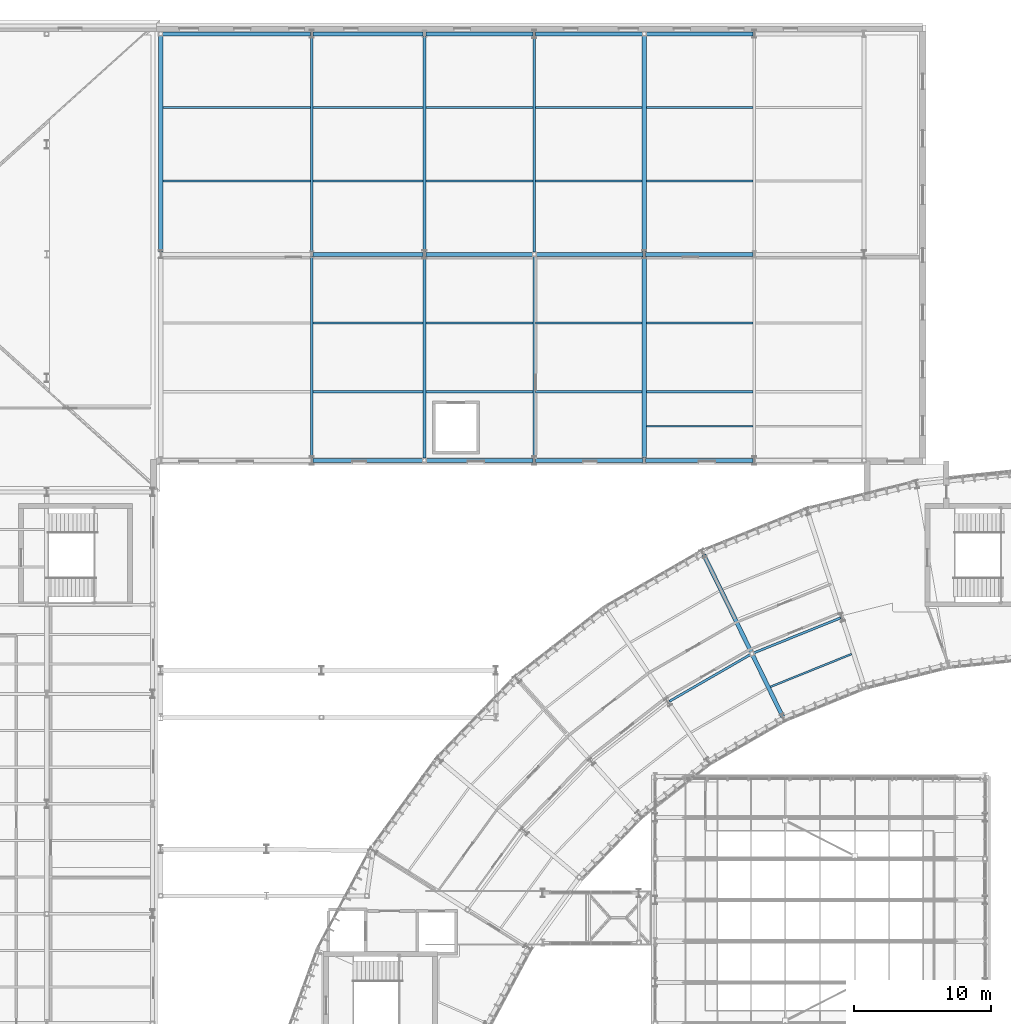
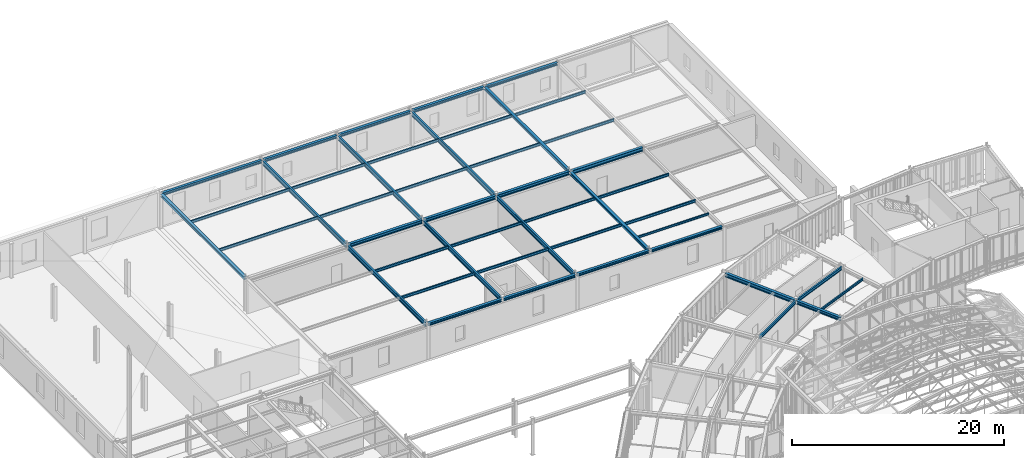
# One storey, part 86 of 148: 46 beams.
"""IFC4 building model written with IfcOpenShell, lengths in metres."""

import ifcopenshell
import ifcopenshell.guid

model = None  # the IFC model being written
_history = None  # IfcOwnerHistory: only IFC2X3 demands one
_inside = {}  # id of a spatial element -> (the spatial element, [elements in it])
_under = {}  # id of a project, library or spatial element -> (it, [spatial elements below it])
_declared = {}  # id of a project -> (the project, [libraries it declares])
_typed = {}  # id of a type object -> (the type object, [elements of that type])
_made_of = {}  # id of a material, layer set ... -> (it, [elements and type objects made of it])


def new_model(schema):
    """Start an empty IFC model of exactly this schema.

    Asked for "IFC4X3", IfcOpenShell would pick the latest addendum, in which some entities
    have other attributes; the version numbers below select the first issue.
    IFC2X3 requires an IfcOwnerHistory on every rooted entity: one is made here for all.
    """
    global model, _history
    if schema == "IFC4X3":
        model = ifcopenshell.file(schema_version=(4, 3, 0, 0))
    else:
        model = ifcopenshell.file(schema=schema)
    _inside.clear()
    _under.clear()
    _declared.clear()
    _typed.clear()
    _made_of.clear()
    _history = None
    if model.schema == "IFC2X3":
        org = make("IfcOrganization", Name="unknown")
        user = make(
            "IfcPersonAndOrganization",
            ThePerson=make("IfcPerson", FamilyName="unknown"),
            TheOrganization=org,
        )
        app = make(
            "IfcApplication",
            ApplicationDeveloper=org,
            Version="unknown",
            ApplicationFullName="unknown",
            ApplicationIdentifier="unknown",
        )
        _history = make(
            "IfcOwnerHistory",
            OwningUser=user,
            OwningApplication=app,
            ChangeAction="ADDED",
            CreationDate=0,
        )
    return model


def make(cls, **values):
    """One entity of the class cls with the attributes given. An attribute that is None is left unset."""
    return model.create_entity(
        cls, **{name: value for name, value in values.items() if value is not None}
    )


def rooted(cls, **values):
    """An entity with a GlobalId (a new one), such as an element, a storey or a relation."""
    return make(cls, GlobalId=ifcopenshell.guid.new(), OwnerHistory=_history, **values)


def si_unit(unit_type, name, prefix=None):
    """IfcSIUnit, for example si_unit("LENGTHUNIT", "METRE", prefix="MILLI")."""
    return make("IfcSIUnit", UnitType=unit_type, Prefix=prefix, Name=name)


def assignment(units):
    """IfcUnitAssignment: the units of a project."""
    return None if units is None else make("IfcUnitAssignment", Units=units)


def point(xyz):
    """IfcCartesianPoint."""
    return None if xyz is None else make("IfcCartesianPoint", Coordinates=xyz)


def direction(xyz):
    """IfcDirection."""
    return None if xyz is None else make("IfcDirection", DirectionRatios=xyz)


def frame(location, z_axis=None, x_axis=None):
    """IfcAxis2Placement3D, a coordinate frame: its origin and axes. An axis left out is left unset."""
    return make(
        "IfcAxis2Placement3D",
        Location=point(location),
        Axis=direction(z_axis),
        RefDirection=direction(x_axis),
    )


def frame_2d(location, x_axis=None):
    """IfcAxis2Placement2D, a coordinate frame in the plane: its origin and x axis."""
    return make(
        "IfcAxis2Placement2D", Location=point(location), RefDirection=direction(x_axis)
    )


def origin():
    """The frame at (0, 0, 0) with its axes left unset."""
    return frame((0.0, 0.0, 0.0))


def origin_2d():
    """The frame at (0, 0) in the plane with its x axis left unset."""
    return frame_2d((0.0, 0.0))


def place(relative_to, where):
    """IfcLocalPlacement: puts the frame where relative to a parent placement (None: the world)."""
    return make(
        "IfcLocalPlacement", PlacementRelTo=relative_to, RelativePlacement=where
    )


def context(
    kind, dimensions, precision=None, world=None, true_north=None, identifier=None
):
    """IfcGeometricRepresentationContext, for example the 3D "Model" context."""
    return make(
        "IfcGeometricRepresentationContext",
        ContextIdentifier=identifier,
        ContextType=kind,
        CoordinateSpaceDimension=dimensions,
        Precision=precision,
        WorldCoordinateSystem=world,
        TrueNorth=true_north,
    )


def subcontext(parent, identifier, kind, view, scale=None):
    """IfcGeometricRepresentationSubContext, for example "Body" below "Model"."""
    return make(
        "IfcGeometricRepresentationSubContext",
        ContextIdentifier=identifier,
        ContextType=kind,
        ParentContext=parent,
        TargetScale=scale,
        TargetView=view,
    )


def project(units=None, contexts=None):
    """IfcProject with its units and contexts."""
    return rooted(
        "IfcProject",
        Name="project",
        RepresentationContexts=contexts,
        UnitsInContext=assignment(units),
    )


def spatial(cls, under=None, at=None, **own):
    """A site, building, storey or space (cls), placed at a placement, below another one or the project."""
    s = rooted(cls, ObjectPlacement=at, **own)
    if under is not None:
        _under.setdefault(under.id(), (under, []))[1].append(s)
    return s


def profile(cls, at=None, kind="AREA", **sizes):
    """A parametric profile (cls). Its sizes go by their IFC names, for example OverallWidth=200.0."""
    return make(cls, ProfileType=kind, Position=at, **sizes)


def i_section(**sizes):
    """IfcIShapeProfileDef."""
    return profile("IfcIShapeProfileDef", **sizes)


def extrude(swept, where, along, depth):
    """IfcExtrudedAreaSolid: the profile swept, set in the frame where, extruded along a direction by depth."""
    return make(
        "IfcExtrudedAreaSolid",
        SweptArea=swept,
        Position=where,
        ExtrudedDirection=direction(along),
        Depth=depth,
    )


def shape(context_of_items, identifier, shape_type, items):
    """IfcShapeRepresentation: the items that make up one representation, for example the "Body"."""
    return make(
        "IfcShapeRepresentation",
        ContextOfItems=context_of_items,
        RepresentationIdentifier=identifier,
        RepresentationType=shape_type,
        Items=items,
    )


def material(Name=None, Category=None):
    """IfcMaterial."""
    return make("IfcMaterial", Name=Name, Category=Category)


def material_profile(
    of_material, cross_section, Name=None, Category=None, Priority=None
):
    """IfcMaterialProfile: a cross section and its material."""
    return make(
        "IfcMaterialProfile",
        Name=Name,
        Material=of_material,
        Profile=cross_section,
        Priority=Priority,
        Category=Category,
    )


def profile_set(profiles, Name=None, composite=None):
    """IfcMaterialProfileSet."""
    return make(
        "IfcMaterialProfileSet",
        Name=Name,
        MaterialProfiles=profiles,
        CompositeProfile=composite,
    )


def made_of(thing, what):
    """Note that an element or type object is made of a material, layer set ...; save() writes the relation."""
    if what is not None:
        _made_of.setdefault(what.id(), (what, []))[1].append(thing)
    return thing


def type_object(cls, material=None, **own):
    """A type object (cls), such as IfcWallType, which elements share."""
    return made_of(rooted(cls, **own), material)


def element(
    cls,
    number,
    at=None,
    inside=None,
    cuts=None,
    type_object=None,
    material=None,
    context=None,
    identifier="Body",
    shape_type=None,
    held_by="IfcProductDefinitionShape",
    body=None,
    shapes=None,
    **own,
):
    """One element of the class cls, such as IfcWall. Its Tag is "e" and its number.

    at: its placement. inside: the storey or other place that contains it. cuts: it is an
    opening in that element (IfcRelVoidsElement). A single representation is given by context,
    identifier, shape_type and body (its items); several are given by shapes. held_by: the class
    of the entity that holds the representations. save() writes the other relations.
    """
    e = rooted(cls, Tag="e%d" % number, ObjectPlacement=at, **own)
    if body is not None:
        shapes = [shape(context, identifier, shape_type, body)]
    if shapes is not None:
        e.Representation = make(held_by, Representations=shapes)
    if inside is not None:
        _inside.setdefault(inside.id(), (inside, []))[1].append(e)
    if cuts is not None:
        rooted(
            "IfcRelVoidsElement", RelatingBuildingElement=cuts, RelatedOpeningElement=e
        )
    if type_object is not None:
        _typed.setdefault(type_object.id(), (type_object, []))[1].append(e)
    return made_of(e, material)


def aggregate(whole, parts):
    """IfcRelAggregates: a whole, such as a stair, and the parts it consists of."""
    return rooted("IfcRelAggregates", RelatingObject=whole, RelatedObjects=parts)


def save(model, path):
    """Write the relations noted so far, then the file.

    IfcRelAggregates (storeys below a building ...), IfcRelContainedInSpatialStructure (elements
    in a storey), IfcRelDefinesByType, IfcRelAssociatesMaterial and IfcRelDeclares: one each for
    every whole, place, type object, material and project.
    """
    for whole, parts in _under.values():
        aggregate(whole, parts)
    for where, things in _inside.values():
        rooted(
            "IfcRelContainedInSpatialStructure",
            RelatedElements=things,
            RelatingStructure=where,
        )
    for kind, things in _typed.values():
        rooted("IfcRelDefinesByType", RelatedObjects=things, RelatingType=kind)
    for what, things in _made_of.values():
        rooted("IfcRelAssociatesMaterial", RelatedObjects=things, RelatingMaterial=what)
    for by, libraries in _declared.values():
        rooted("IfcRelDeclares", RelatingContext=by, RelatedDefinitions=libraries)
    model.write(path)


model = new_model("IFC4")

# Units and contexts
model_context = context("Model", 3, precision=1e-05, world=origin(), true_north=direction((0.0, 1.0)))
body_context = subcontext(model_context, "Body", "Model", "MODEL_VIEW")
ifc_project = project(units=[si_unit("LENGTHUNIT", "METRE"), si_unit("AREAUNIT", "SQUARE_METRE"), si_unit("VOLUMEUNIT", "CUBIC_METRE"), si_unit("PLANEANGLEUNIT", "RADIAN"), si_unit("MASSUNIT", "GRAM", prefix="KILO"), si_unit("THERMODYNAMICTEMPERATUREUNIT", "KELVIN"), si_unit("POWERUNIT", "WATT")], contexts=[model_context])

# Site, building, storey
site_placement = place(None, origin())
site = spatial("IfcSite", under=ifc_project, at=site_placement, CompositionType="ELEMENT")
building_placement = place(site_placement, origin())
building = spatial("IfcBuilding", under=site, at=building_placement, Name="Solvatero Civic Police Headquarters", CompositionType="ELEMENT")
storey_placement = place(building_placement, frame((0.0, 0.0, 5.10009765625)))
storey = spatial("IfcBuildingStorey", under=building, at=storey_placement, Name="L01", CompositionType="ELEMENT", Elevation=5.10009765625)

# Beams
ifc_material = material(Name="Steel S355", Category="steel")
ifc_material_profile_1 = material_profile(ifc_material, i_section(OverallWidth=0.300048828125, OverallDepth=0.2900390625, WebThickness=0.008544921875, FlangeThickness=0.013916015625, FilletRadius=0.027099609375, at=origin_2d()), Name="HEA 300")
ifc_profile_set_1 = profile_set([ifc_material_profile_1], Name="Steel S355")
beam_type_1 = type_object("IfcBeamType", Name="BM-ST-HEA300", PredefinedType="SPANDREL", material=ifc_profile_set_1)
for number, where, z_axis, x_axis, name in (
    (1, (64.10009765625, 85.5, 3.794921875), (1.0, 0.0, 0.0), (0.0, 1.0, 0.0), "Perimeter / radial spandrel beam BM-R2-L01-V7E-GX-1-1"),
    (2, (64.10009765625, 116.550048828125, 3.794921875), (1.0, 0.0, 0.0), (0.0, 1.0, 0.0), "Perimeter / radial spandrel beam BM-R2-L01-V7E-GX-1-3"),
):
    element("IfcBeam", number, at=place(storey_placement, frame(where, z_axis=z_axis, x_axis=x_axis)), inside=storey, type_object=beam_type_1, Name=name, PredefinedType="SPANDREL", context=body_context, shape_type="SweptSolid", body=[
        extrude(i_section(OverallWidth=0.300048828125, OverallDepth=0.2900390625, WebThickness=0.008544921875, FlangeThickness=0.013916015625, FilletRadius=0.027099609375, at=origin_2d()), origin(), (0.0, 0.0, 1.0), 7.7998046875),
    ])
ifc_material_profile_2 = material_profile(ifc_material, i_section(OverallWidth=0.300048828125, OverallDepth=0.31005859375, WebThickness=0.009033203125, FlangeThickness=0.015380859375, FilletRadius=0.027099609375, at=origin_2d()), Name="HEA 320")
ifc_profile_set_2 = profile_set([ifc_material_profile_2], Name="Steel S355")
beam_type_2 = type_object("IfcBeamType", Name="BM-ST-HEA320", PredefinedType="SPANDREL", material=ifc_profile_set_2)
beam_1_placement = place(storey_placement, frame((39.89990234375, 85.5, 3.824951171875), z_axis=(1.0, 0.0, 0.0), x_axis=(0.0, 1.0, 0.0)))
element("IfcBeam", 3, at=beam_1_placement, inside=storey, type_object=beam_type_2, Name="Perimeter / radial spandrel beam BM-R2-L01-V7W-GX-2-1", PredefinedType="SPANDREL", context=body_context, shape_type="SweptSolid", body=[
    extrude(i_section(OverallWidth=0.300048828125, OverallDepth=0.31005859375, WebThickness=0.009033203125, FlangeThickness=0.015380859375, FilletRadius=0.027099609375, at=origin_2d()), origin(), (0.0, 0.0, 1.0), 8.0),
])
for number, where, z_axis, x_axis, name in (
    (4, (48.10009765625, 85.5, 3.824951171875), (1.0, 0.0, 0.0), (0.0, 1.0, 0.0), "Perimeter / radial spandrel beam BM-R2-L01-V7W-GX-3-1"),
    (5, (56.10009765625, 85.5, 3.824951171875), (1.0, 0.0, 0.0), (0.0, 1.0, 0.0), "Perimeter / radial spandrel beam BM-R2-L01-V7W-GX-4-1"),
):
    element("IfcBeam", number, at=place(storey_placement, frame(where, z_axis=z_axis, x_axis=x_axis)), inside=storey, type_object=beam_type_2, Name=name, PredefinedType="SPANDREL", context=body_context, shape_type="SweptSolid", body=[
        extrude(i_section(OverallWidth=0.300048828125, OverallDepth=0.31005859375, WebThickness=0.009033203125, FlangeThickness=0.015380859375, FilletRadius=0.027099609375, at=origin_2d()), origin(), (0.0, 0.0, 1.0), 7.7998046875),
    ])
beam_2_placement = place(storey_placement, frame((28.89990234375, 116.550048828125, 3.824951171875), z_axis=(1.0, 0.0, 0.0), x_axis=(0.0, 1.0, 0.0)))
element("IfcBeam", 6, at=beam_2_placement, inside=storey, type_object=beam_type_2, Name="Perimeter / radial spandrel beam BM-R2-L01-V7W-GX-1-3", PredefinedType="SPANDREL", context=body_context, shape_type="SweptSolid", body=[
    extrude(i_section(OverallWidth=0.300048828125, OverallDepth=0.31005859375, WebThickness=0.009033203125, FlangeThickness=0.015380859375, FilletRadius=0.027099609375, at=origin_2d()), origin(), (0.0, 0.0, 1.0), 10.800048828125),
])
beam_3_placement = place(storey_placement, frame((39.89990234375, 116.550048828125, 3.824951171875), z_axis=(1.0, 0.0, 0.0), x_axis=(0.0, 1.0, 0.0)))
element("IfcBeam", 7, at=beam_3_placement, inside=storey, type_object=beam_type_2, Name="Perimeter / radial spandrel beam BM-R2-L01-V7W-GX-2-3", PredefinedType="SPANDREL", context=body_context, shape_type="SweptSolid", body=[
    extrude(i_section(OverallWidth=0.300048828125, OverallDepth=0.31005859375, WebThickness=0.009033203125, FlangeThickness=0.015380859375, FilletRadius=0.027099609375, at=origin_2d()), origin(), (0.0, 0.0, 1.0), 8.0),
])
for number, where, z_axis, x_axis, name in (
    (8, (48.10009765625, 116.550048828125, 3.824951171875), (1.0, 0.0, 0.0), (0.0, 1.0, 0.0), "Perimeter / radial spandrel beam BM-R2-L01-V7W-GX-3-3"),
    (9, (56.10009765625, 116.550048828125, 3.824951171875), (1.0, 0.0, 0.0), (0.0, 1.0, 0.0), "Perimeter / radial spandrel beam BM-R2-L01-V7W-GX-4-3"),
):
    element("IfcBeam", number, at=place(storey_placement, frame(where, z_axis=z_axis, x_axis=x_axis)), inside=storey, type_object=beam_type_2, Name=name, PredefinedType="SPANDREL", context=body_context, shape_type="SweptSolid", body=[
        extrude(i_section(OverallWidth=0.300048828125, OverallDepth=0.31005859375, WebThickness=0.009033203125, FlangeThickness=0.015380859375, FilletRadius=0.027099609375, at=origin_2d()), origin(), (0.0, 0.0, 1.0), 7.7998046875),
    ])
beam_4_placement = place(storey_placement, frame((28.800048828125, 100.659912109375, 3.824951171875), z_axis=(0.0, 1.0, 0.0), x_axis=(-1.0, 0.0, 0.0)))
element("IfcBeam", 10, at=beam_4_placement, inside=storey, type_object=beam_type_2, Name="Perimeter / radial spandrel beam BM-R2-L01-V7W-GY-1-2", PredefinedType="SPANDREL", context=body_context, shape_type="SweptSolid", body=[
    extrude(i_section(OverallWidth=0.300048828125, OverallDepth=0.31005859375, WebThickness=0.009033203125, FlangeThickness=0.015380859375, FilletRadius=0.027099609375, at=origin_2d()), origin(), (0.0, 0.0, 1.0), 15.72998046875),
])
beam_5_placement = place(storey_placement, frame((64.0, 85.659912109375, 3.824951171875), z_axis=(0.0, 1.0, 0.0), x_axis=(-1.0, 0.0, 0.0)))
element("IfcBeam", 11, at=beam_5_placement, inside=storey, type_object=beam_type_2, Name="Perimeter / radial spandrel beam BM-R2-L01-V7W-GY-5-1", PredefinedType="SPANDREL", context=body_context, shape_type="SweptSolid", body=[
    extrude(i_section(OverallWidth=0.300048828125, OverallDepth=0.31005859375, WebThickness=0.009033203125, FlangeThickness=0.015380859375, FilletRadius=0.027099609375, at=origin_2d()), origin(), (0.0, 0.0, 1.0), 14.68017578125),
])
beam_6_placement = place(storey_placement, frame((64.0, 100.659912109375, 3.824951171875), z_axis=(0.0, 1.0, 0.0), x_axis=(-1.0, 0.0, 0.0)))
element("IfcBeam", 12, at=beam_6_placement, inside=storey, type_object=beam_type_2, Name="Perimeter / radial spandrel beam BM-R2-L01-V7W-GY-5-2", PredefinedType="SPANDREL", context=body_context, shape_type="SweptSolid", body=[
    extrude(i_section(OverallWidth=0.300048828125, OverallDepth=0.31005859375, WebThickness=0.009033203125, FlangeThickness=0.015380859375, FilletRadius=0.027099609375, at=origin_2d()), origin(), (0.0, 0.0, 1.0), 15.72998046875),
])
ifc_material_profile_3 = material_profile(ifc_material, i_section(OverallWidth=0.300048828125, OverallDepth=0.389892578125, WebThickness=0.010986328125, FlangeThickness=0.01904296875, FilletRadius=0.027099609375, at=origin_2d()), Name="HEA 400")
ifc_profile_set_3 = profile_set([ifc_material_profile_3], Name="Steel S355")
beam_type_3 = type_object("IfcBeamType", Name="BM-ST-HEA400", PredefinedType="BEAM", material=ifc_profile_set_3)
beam_7_placement = place(storey_placement, frame((74.076171875, 66.85009765625, 3.784912109375), z_axis=(-0.438422670017, 0.898768914914, 0.0), x_axis=(-0.898768914914, -0.438422670017, 0.0)))
element("IfcBeam", 13, at=beam_7_placement, inside=storey, type_object=beam_type_3, Name="Primary girder BM-R2-L01-ARC-RAD1-S04", PredefinedType="BEAM", context=body_context, shape_type="SweptSolid", body=[
    extrude(i_section(OverallWidth=0.300048828125, OverallDepth=0.389892578125, WebThickness=0.010986328125, FlangeThickness=0.01904296875, FilletRadius=0.027099609375, at=origin_2d()), origin(), (0.0, 0.0, 1.0), 5.0),
])
ifc_material_profile_4 = material_profile(ifc_material, i_section(OverallWidth=0.300048828125, OverallDepth=0.43994140625, WebThickness=0.011474609375, FlangeThickness=0.02099609375, FilletRadius=0.027099609375, at=origin_2d()), Name="HEA 450")
ifc_profile_set_4 = profile_set([ifc_material_profile_4], Name="Steel S355")
beam_type_4 = type_object("IfcBeamType", Name="BM-ST-HEA450", PredefinedType="BEAM", material=ifc_profile_set_4)
beam_8_placement = place(storey_placement, frame((64.10009765625, 100.5, 3.719970703125), z_axis=(1.0, 0.0, 0.0), x_axis=(0.0, 1.0, 0.0)))
element("IfcBeam", 14, at=beam_8_placement, inside=storey, type_object=beam_type_4, Name="Primary girder BM-R2-L01-V7E-GX-1-2", PredefinedType="BEAM", context=body_context, shape_type="SweptSolid", body=[
    extrude(i_section(OverallWidth=0.300048828125, OverallDepth=0.43994140625, WebThickness=0.011474609375, FlangeThickness=0.02099609375, FilletRadius=0.027099609375, at=origin_2d()), origin(), (0.0, 0.0, 1.0), 7.7998046875),
])
beam_9_placement = place(storey_placement, frame((71.79638671875, 71.52392578125, 3.760009765625), z_axis=(-0.438365789194, 0.898796659353, 0.0), x_axis=(-0.898796659353, -0.438365789194, 0.0)))
element("IfcBeam", 15, at=beam_9_placement, inside=storey, type_object=beam_type_4, Name="Primary girder BM-R2-L01-ARC-RAD2-S04", PredefinedType="BEAM", context=body_context, shape_type="SweptSolid", body=[
    extrude(i_section(OverallWidth=0.300048828125, OverallDepth=0.43994140625, WebThickness=0.011474609375, FlangeThickness=0.02099609375, FilletRadius=0.027099609375, at=origin_2d()), origin(), (0.0, 0.0, 1.0), 7.900146484375),
])
ifc_material_profile_5 = material_profile(ifc_material, i_section(OverallWidth=0.300048828125, OverallDepth=0.39990234375, WebThickness=0.013427734375, FlangeThickness=0.02392578125, FilletRadius=0.027099609375, at=origin_2d()), Name="HEB 400")
ifc_profile_set_5 = profile_set([ifc_material_profile_5], Name="Steel S355")
beam_type_5 = type_object("IfcBeamType", Name="BM-ST-HEB400", PredefinedType="BEAM", material=ifc_profile_set_5)
beam_10_placement = place(storey_placement, frame((39.89990234375, 100.5, 3.77978515625), z_axis=(1.0, 0.0, 0.0), x_axis=(0.0, 1.0, 0.0)))
element("IfcBeam", 16, at=beam_10_placement, inside=storey, type_object=beam_type_5, Name="Primary girder BM-R2-L01-V7W-GX-2-2", PredefinedType="BEAM", context=body_context, shape_type="SweptSolid", body=[
    extrude(i_section(OverallWidth=0.300048828125, OverallDepth=0.39990234375, WebThickness=0.013427734375, FlangeThickness=0.02392578125, FilletRadius=0.027099609375, at=origin_2d()), origin(), (0.0, 0.0, 1.0), 8.0),
])
for number, where, z_axis, x_axis, name in (
    (17, (48.10009765625, 100.5, 3.77978515625), (1.0, 0.0, 0.0), (0.0, 1.0, 0.0), "Primary girder BM-R2-L01-V7W-GX-3-2"),
    (18, (56.10009765625, 100.5, 3.77978515625), (1.0, 0.0, 0.0), (0.0, 1.0, 0.0), "Primary girder BM-R2-L01-V7W-GX-4-2"),
):
    element("IfcBeam", number, at=place(storey_placement, frame(where, z_axis=z_axis, x_axis=x_axis)), inside=storey, type_object=beam_type_5, Name=name, PredefinedType="BEAM", context=body_context, shape_type="SweptSolid", body=[
        extrude(i_section(OverallWidth=0.300048828125, OverallDepth=0.39990234375, WebThickness=0.013427734375, FlangeThickness=0.02392578125, FilletRadius=0.027099609375, at=origin_2d()), origin(), (0.0, 0.0, 1.0), 7.7998046875),
    ])
ifc_material_profile_6 = material_profile(ifc_material, i_section(OverallWidth=0.1201171875, OverallDepth=0.239990234375, WebThickness=0.006103515625, FlangeThickness=0.009765625, FilletRadius=0.014892578125, at=origin_2d()), Name="IPE 240")
ifc_profile_set_6 = profile_set([ifc_material_profile_6], Name="Steel S355")
beam_type_6 = type_object("IfcBeamType", Name="BM-ST-IPE240", PredefinedType="BEAM", material=ifc_profile_set_6)
beam_11_placement = place(storey_placement, frame((64.14990234375, 87.97998046875, 3.81982421875), z_axis=(1.0, 0.0, 0.0), x_axis=(0.0, 1.0, 0.0)))
element("IfcBeam", 19, at=beam_11_placement, inside=storey, type_object=beam_type_6, Name="Composite floor beam BM-R2-L01-V7COR-N1", PredefinedType="BEAM", context=body_context, shape_type="SweptSolid", body=[
    extrude(i_section(OverallWidth=0.1201171875, OverallDepth=0.239990234375, WebThickness=0.006103515625, FlangeThickness=0.009765625, FilletRadius=0.014892578125, at=origin_2d()), origin(), (0.0, 0.0, 1.0), 7.75),
])
ifc_material_profile_7 = material_profile(ifc_material, i_section(OverallWidth=0.135009765625, OverallDepth=0.27001953125, WebThickness=0.006591796875, FlangeThickness=0.01025390625, FilletRadius=0.014892578125, at=origin_2d()), Name="IPE 270")
ifc_profile_set_7 = profile_set([ifc_material_profile_7], Name="Steel S355")
beam_type_7 = type_object("IfcBeamType", Name="BM-ST-IPE270", PredefinedType="BEAM", material=ifc_profile_set_7)
beam_12_placement = place(storey_placement, frame((79.08984375, 71.404296875, 3.844970703125), z_axis=(-0.927180902573, -0.374613899774, 0.0), x_axis=(0.374613899774, -0.927180902573, 0.0)))
element("IfcBeam", 20, at=beam_12_placement, inside=storey, type_object=beam_type_7, Name="Composite floor beam BM-R2-L01-ARC-CS1-B04", PredefinedType="BEAM", context=body_context, shape_type="SweptSolid", body=[
    extrude(i_section(OverallWidth=0.135009765625, OverallDepth=0.27001953125, WebThickness=0.006591796875, FlangeThickness=0.01025390625, FilletRadius=0.014892578125, at=origin_2d()), origin(), (0.0, 0.0, 1.0), 6.36865234375),
])
ifc_material_profile_8 = material_profile(ifc_material, i_section(OverallWidth=0.14990234375, OverallDepth=0.300048828125, WebThickness=0.007080078125, FlangeThickness=0.0107421875, FilletRadius=0.014892578125, at=origin_2d()), Name="IPE 300")
ifc_profile_set_8 = profile_set([ifc_material_profile_8], Name="Steel S355")
beam_type_8 = type_object("IfcBeamType", Name="BM-ST-IPE300", PredefinedType="BEAM", material=ifc_profile_set_8)
for number, where, z_axis, x_axis, name in (
    (21, (28.949951171875, 105.85009765625, 3.829833984375), (1.0, 0.0, 0.0), (0.0, 1.0, 0.0), "Composite floor beam BM-R2-L01-V7W-SEC-1-2-S1"),
    (22, (28.949951171875, 111.199951171875, 3.829833984375), (1.0, 0.0, 0.0), (0.0, 1.0, 0.0), "Composite floor beam BM-R2-L01-V7W-SEC-1-2-S2"),
):
    element("IfcBeam", number, at=place(storey_placement, frame(where, z_axis=z_axis, x_axis=x_axis)), inside=storey, type_object=beam_type_8, Name=name, PredefinedType="BEAM", context=body_context, shape_type="SweptSolid", body=[
        extrude(i_section(OverallWidth=0.14990234375, OverallDepth=0.300048828125, WebThickness=0.007080078125, FlangeThickness=0.0107421875, FilletRadius=0.014892578125, at=origin_2d()), origin(), (0.0, 0.0, 1.0), 10.75),
    ])
for number, where, z_axis, x_axis, name in (
    (23, (39.89990234375, 90.5, 3.829833984375), (1.0, 0.0, 0.0), (0.0, 1.0, 0.0), "Composite floor beam BM-R2-L01-V7W-SEC-2-1-S1"),
    (24, (39.89990234375, 95.5, 3.829833984375), (1.0, 0.0, 0.0), (0.0, 1.0, 0.0), "Composite floor beam BM-R2-L01-V7W-SEC-2-1-S2"),
    (25, (39.89990234375, 105.85009765625, 3.829833984375), (1.0, 0.0, 0.0), (0.0, 1.0, 0.0), "Composite floor beam BM-R2-L01-V7W-SEC-2-2-S1"),
    (26, (39.89990234375, 111.199951171875, 3.829833984375), (1.0, 0.0, 0.0), (0.0, 1.0, 0.0), "Composite floor beam BM-R2-L01-V7W-SEC-2-2-S2"),
):
    element("IfcBeam", number, at=place(storey_placement, frame(where, z_axis=z_axis, x_axis=x_axis)), inside=storey, type_object=beam_type_8, Name=name, PredefinedType="BEAM", context=body_context, shape_type="SweptSolid", body=[
        extrude(i_section(OverallWidth=0.14990234375, OverallDepth=0.300048828125, WebThickness=0.007080078125, FlangeThickness=0.0107421875, FilletRadius=0.014892578125, at=origin_2d()), origin(), (0.0, 0.0, 1.0), 8.0),
    ])
for number, where, z_axis, x_axis, name in (
    (27, (48.10009765625, 90.5, 3.829833984375), (1.0, 0.0, 0.0), (0.0, 1.0, 0.0), "Composite floor beam BM-R2-L01-V7W-SEC-3-1-S1"),
    (28, (48.10009765625, 95.5, 3.829833984375), (1.0, 0.0, 0.0), (0.0, 1.0, 0.0), "Composite floor beam BM-R2-L01-V7W-SEC-3-1-S2"),
    (29, (48.10009765625, 105.85009765625, 3.829833984375), (1.0, 0.0, 0.0), (0.0, 1.0, 0.0), "Composite floor beam BM-R2-L01-V7W-SEC-3-2-S1"),
    (30, (48.10009765625, 111.199951171875, 3.829833984375), (1.0, 0.0, 0.0), (0.0, 1.0, 0.0), "Composite floor beam BM-R2-L01-V7W-SEC-3-2-S2"),
):
    element("IfcBeam", number, at=place(storey_placement, frame(where, z_axis=z_axis, x_axis=x_axis)), inside=storey, type_object=beam_type_8, Name=name, PredefinedType="BEAM", context=body_context, shape_type="SweptSolid", body=[
        extrude(i_section(OverallWidth=0.14990234375, OverallDepth=0.300048828125, WebThickness=0.007080078125, FlangeThickness=0.0107421875, FilletRadius=0.014892578125, at=origin_2d()), origin(), (0.0, 0.0, 1.0), 7.7998046875),
    ])
for number, where, z_axis, x_axis, name in (
    (31, (56.10009765625, 90.5, 3.829833984375), (1.0, 0.0, 0.0), (0.0, 1.0, 0.0), "Composite floor beam BM-R2-L01-V7W-SEC-4-1-S1"),
    (32, (56.10009765625, 95.5, 3.829833984375), (1.0, 0.0, 0.0), (0.0, 1.0, 0.0), "Composite floor beam BM-R2-L01-V7W-SEC-4-1-S2"),
    (33, (56.10009765625, 105.85009765625, 3.829833984375), (1.0, 0.0, 0.0), (0.0, 1.0, 0.0), "Composite floor beam BM-R2-L01-V7W-SEC-4-2-S1"),
    (34, (56.10009765625, 111.199951171875, 3.829833984375), (1.0, 0.0, 0.0), (0.0, 1.0, 0.0), "Composite floor beam BM-R2-L01-V7W-SEC-4-2-S2"),
    (35, (64.14990234375, 90.5, 3.789794921875), (1.0, 0.0, 0.0), (0.0, 1.0, 0.0), "Composite floor beam BM-R2-L01-V7E-SEC-1-1-S1"),
    (36, (64.14990234375, 95.5, 3.789794921875), (1.0, 0.0, 0.0), (0.0, 1.0, 0.0), "Composite floor beam BM-R2-L01-V7E-SEC-1-1-S2"),
    (37, (64.14990234375, 105.85009765625, 3.789794921875), (1.0, 0.0, 0.0), (0.0, 1.0, 0.0), "Composite floor beam BM-R2-L01-V7E-SEC-1-2-S1"),
    (38, (64.14990234375, 111.199951171875, 3.789794921875), (1.0, 0.0, 0.0), (0.0, 1.0, 0.0), "Composite floor beam BM-R2-L01-V7E-SEC-1-2-S2"),
):
    element("IfcBeam", number, at=place(storey_placement, frame(where, z_axis=z_axis, x_axis=x_axis)), inside=storey, type_object=beam_type_8, Name=name, PredefinedType="BEAM", context=body_context, shape_type="SweptSolid", body=[
        extrude(i_section(OverallWidth=0.14990234375, OverallDepth=0.300048828125, WebThickness=0.007080078125, FlangeThickness=0.0107421875, FilletRadius=0.014892578125, at=origin_2d()), origin(), (0.0, 0.0, 1.0), 7.75),
    ])
ifc_material_profile_9 = material_profile(ifc_material, i_section(OverallWidth=0.169921875, OverallDepth=0.360107421875, WebThickness=0.008056640625, FlangeThickness=0.0126953125, FilletRadius=0.01806640625, at=origin_2d()), Name="IPE 360")
ifc_profile_set_9 = profile_set([ifc_material_profile_9], Name="Steel S355")
beam_type_9 = type_object("IfcBeamType", Name="BM-ST-IPE360", PredefinedType="BEAM", material=ifc_profile_set_9)
beam_13_placement = place(storey_placement, frame((78.28662109375, 74.038330078125, 3.7998046875), z_axis=(-0.927188538339, -0.374595000465, 0.0), x_axis=(0.374595000465, -0.927188538339, 0.0)))
element("IfcBeam", 39, at=beam_13_placement, inside=storey, type_object=beam_type_9, Name="Composite floor beam BM-R2-L01-ARC-CMID-B04", PredefinedType="BEAM", context=body_context, shape_type="SweptSolid", body=[
    extrude(i_section(OverallWidth=0.169921875, OverallDepth=0.360107421875, WebThickness=0.008056640625, FlangeThickness=0.0126953125, FilletRadius=0.01806640625, at=origin_2d()), origin(), (0.0, 0.0, 1.0), 6.8525390625),
])
beam_14_placement = place(storey_placement, frame((71.753662109375, 71.384033203125, 3.7998046875), z_axis=(-0.866020050267, -0.50000927245, 0.0), x_axis=(0.50000927245, -0.866020050267, 0.0)))
element("IfcBeam", 40, at=beam_14_placement, inside=storey, type_object=beam_type_9, Name="Composite floor beam BM-R2-L01-ARC-CMID-B05", PredefinedType="BEAM", context=body_context, shape_type="SweptSolid", body=[
    extrude(i_section(OverallWidth=0.169921875, OverallDepth=0.360107421875, WebThickness=0.008056640625, FlangeThickness=0.0126953125, FilletRadius=0.01806640625, at=origin_2d()), origin(), (0.0, 0.0, 1.0), 6.852294921875),
])
ifc_material_profile_10 = material_profile(ifc_material, i_section(OverallWidth=0.199951171875, OverallDepth=0.5, WebThickness=0.01025390625, FlangeThickness=0.01611328125, FilletRadius=0.02099609375, at=origin_2d()), Name="IPE 500")
ifc_profile_set_10 = profile_set([ifc_material_profile_10], Name="Steel S355")
beam_type_10 = type_object("IfcBeamType", Name="BM-ST-IPE500", PredefinedType="BEAM", material=ifc_profile_set_10)
beam_15_placement = place(storey_placement, frame((39.800048828125, 85.659912109375, 3.72998046875), z_axis=(0.0, 1.0, 0.0), x_axis=(-1.0, 0.0, 0.0)))
element("IfcBeam", 41, at=beam_15_placement, inside=storey, type_object=beam_type_10, Name="Primary girder BM-R2-L01-V7W-GY-2-1", PredefinedType="BEAM", context=body_context, shape_type="SweptSolid", body=[
    extrude(i_section(OverallWidth=0.199951171875, OverallDepth=0.5, WebThickness=0.01025390625, FlangeThickness=0.01611328125, FilletRadius=0.02099609375, at=origin_2d()), origin(), (0.0, 0.0, 1.0), 14.68017578125),
])
beam_16_placement = place(storey_placement, frame((39.800048828125, 100.659912109375, 3.72998046875), z_axis=(0.0, 1.0, 0.0), x_axis=(-1.0, 0.0, 0.0)))
element("IfcBeam", 42, at=beam_16_placement, inside=storey, type_object=beam_type_10, Name="Primary girder BM-R2-L01-V7W-GY-2-2", PredefinedType="BEAM", context=body_context, shape_type="SweptSolid", body=[
    extrude(i_section(OverallWidth=0.199951171875, OverallDepth=0.5, WebThickness=0.01025390625, FlangeThickness=0.01611328125, FilletRadius=0.02099609375, at=origin_2d()), origin(), (0.0, 0.0, 1.0), 15.72998046875),
])
beam_17_placement = place(storey_placement, frame((48.0, 85.659912109375, 3.72998046875), z_axis=(0.0, 1.0, 0.0), x_axis=(-1.0, 0.0, 0.0)))
element("IfcBeam", 43, at=beam_17_placement, inside=storey, type_object=beam_type_10, Name="Primary girder BM-R2-L01-V7W-GY-3-1", PredefinedType="BEAM", context=body_context, shape_type="SweptSolid", body=[
    extrude(i_section(OverallWidth=0.199951171875, OverallDepth=0.5, WebThickness=0.01025390625, FlangeThickness=0.01611328125, FilletRadius=0.02099609375, at=origin_2d()), origin(), (0.0, 0.0, 1.0), 14.68017578125),
])
beam_18_placement = place(storey_placement, frame((48.0, 100.659912109375, 3.72998046875), z_axis=(0.0, 1.0, 0.0), x_axis=(-1.0, 0.0, 0.0)))
element("IfcBeam", 44, at=beam_18_placement, inside=storey, type_object=beam_type_10, Name="Primary girder BM-R2-L01-V7W-GY-3-2", PredefinedType="BEAM", context=body_context, shape_type="SweptSolid", body=[
    extrude(i_section(OverallWidth=0.199951171875, OverallDepth=0.5, WebThickness=0.01025390625, FlangeThickness=0.01611328125, FilletRadius=0.02099609375, at=origin_2d()), origin(), (0.0, 0.0, 1.0), 15.72998046875),
])
beam_19_placement = place(storey_placement, frame((56.0, 85.659912109375, 3.72998046875), z_axis=(0.0, 1.0, 0.0), x_axis=(-1.0, 0.0, 0.0)))
element("IfcBeam", 45, at=beam_19_placement, inside=storey, type_object=beam_type_10, Name="Primary girder BM-R2-L01-V7W-GY-4-1", PredefinedType="BEAM", context=body_context, shape_type="SweptSolid", body=[
    extrude(i_section(OverallWidth=0.199951171875, OverallDepth=0.5, WebThickness=0.01025390625, FlangeThickness=0.01611328125, FilletRadius=0.02099609375, at=origin_2d()), origin(), (0.0, 0.0, 1.0), 14.68017578125),
])
beam_20_placement = place(storey_placement, frame((56.0, 100.659912109375, 3.72998046875), z_axis=(0.0, 1.0, 0.0), x_axis=(-1.0, 0.0, 0.0)))
element("IfcBeam", 46, at=beam_20_placement, inside=storey, type_object=beam_type_10, Name="Primary girder BM-R2-L01-V7W-GY-4-2", PredefinedType="BEAM", context=body_context, shape_type="SweptSolid", body=[
    extrude(i_section(OverallWidth=0.199951171875, OverallDepth=0.5, WebThickness=0.01025390625, FlangeThickness=0.01611328125, FilletRadius=0.02099609375, at=origin_2d()), origin(), (0.0, 0.0, 1.0), 15.72998046875),
])

save(model, "model.ifc")
